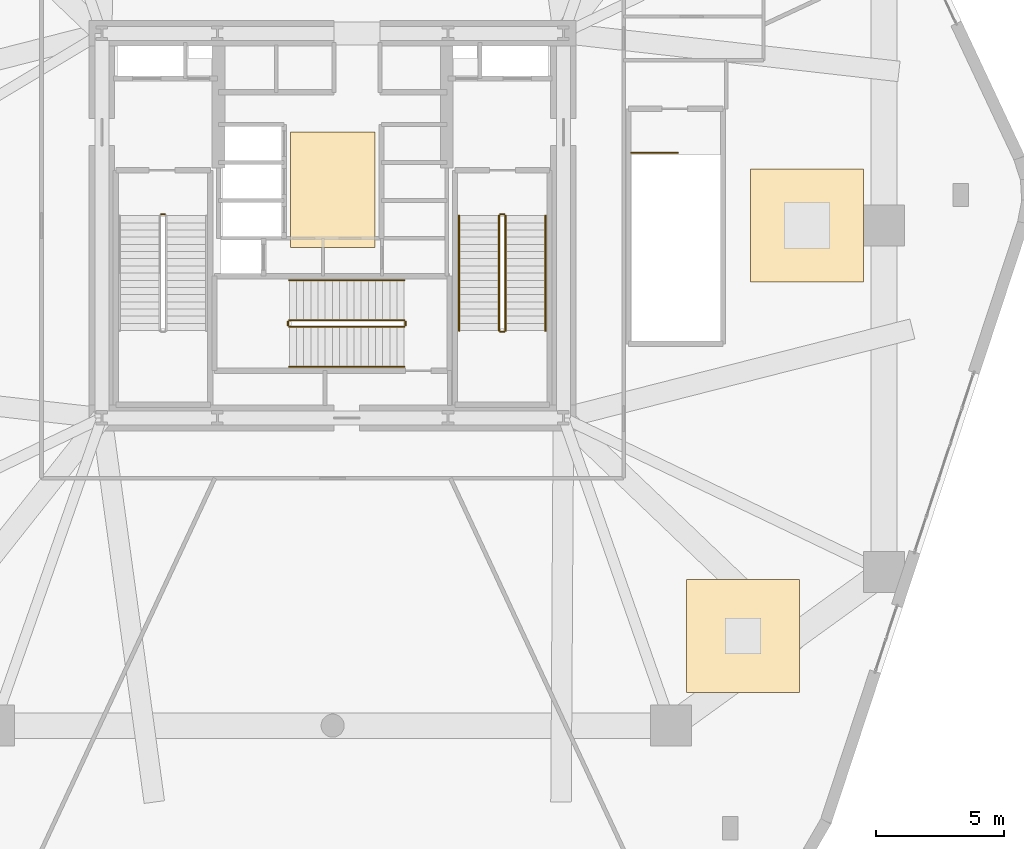
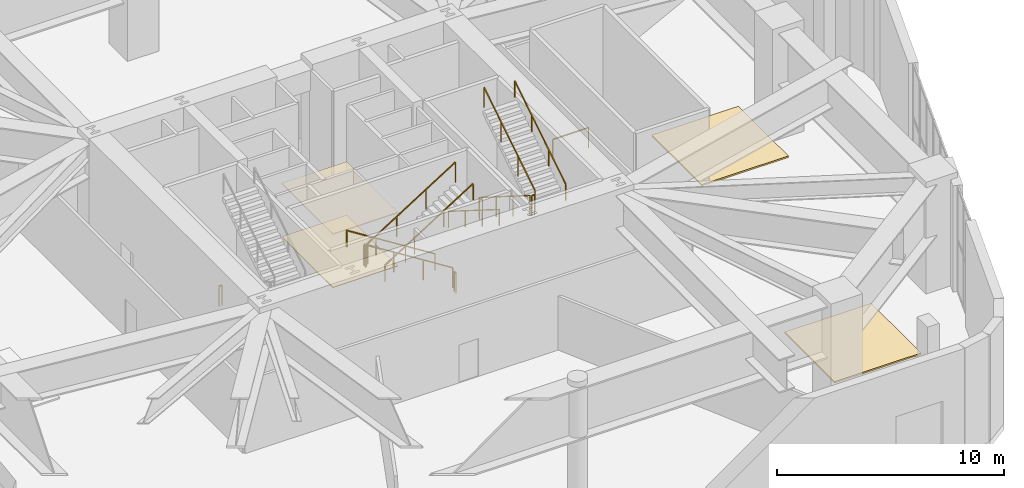
# One storey, part 13 of 14: 14 railings, 4 coverings.
"""IFC4 building model written with IfcOpenShell, lengths in metres."""

from ifc_helpers import new_model, si_unit, direction, frame, origin, origin_2d, place, context, subcontext, project, spatial, polyline, rectangle, outline, extrude, material, layer, layer_set, type_object, element, save


model = new_model("IFC4")

# Units and contexts
model_context = context("Model", 3, precision=1e-05, world=origin(), true_north=direction((0.0, 1.0)))
body_context = subcontext(model_context, "Body", "Model", "MODEL_VIEW")
ifc_project = project(units=[si_unit("LENGTHUNIT", "METRE"), si_unit("AREAUNIT", "SQUARE_METRE"), si_unit("VOLUMEUNIT", "CUBIC_METRE"), si_unit("PLANEANGLEUNIT", "RADIAN"), si_unit("MASSUNIT", "GRAM", prefix="KILO")], contexts=[model_context])

# Site, building, storey
site_placement = place(None, origin())
site = spatial("IfcSite", under=ifc_project, at=site_placement, CompositionType="ELEMENT")
building_placement = place(site_placement, origin())
building = spatial("IfcBuilding", under=site, at=building_placement, Name="Kilnhurst Terrace Hotel", CompositionType="ELEMENT")
storey_placement = place(building_placement, frame((0.0, 0.0, 28.199951171875)))
storey = spatial("IfcBuildingStorey", under=building, at=storey_placement, Name="L05", CompositionType="ELEMENT", Elevation=28.199951171875)

# Coverings
ifc_material_1 = material(Name="Perforated Micro-Acoustic Gypsum and Mineral Wool Ceiling")
ifc_layer_1 = layer(ifc_material_1, 0.050048828125, Name="Perforated Micro-Acoustic Gypsum and Mineral Wool Ceiling")
ifc_layer_set_1 = layer_set([ifc_layer_1], Name="Perforated Micro-Acoustic Gypsum and Mineral Wool Ceiling")
covering_type_1 = type_object("IfcCoveringType", Name="COV-CLG-AC60", PredefinedType="CEILING", material=ifc_layer_set_1)
covering_1_placement = place(storey_placement, frame((0.0, 0.0, 2.85009765625)))
element("IfcCovering", 1, at=covering_1_placement, inside=storey, type_object=covering_type_1, Name="L05 Lift Lobby Suspended Acoustic Ceiling", PredefinedType="CEILING", context=body_context, shape_type="SweptSolid", body=[
    extrude(outline(polyline([(-1.64990234375, -0.85009765625), (1.64990234375, -0.85009765625), (1.64990234375, 3.64990234375), (-1.64990234375, 3.64990234375), (-1.64990234375, -0.85009765625)])), origin(), (0.0, 0.0, 1.0), 0.050048828125),
])
ifc_material_2 = material(Name="Honed Texas Cream Limestone Tile Flooring", Category="masonry")
ifc_layer_2 = layer(ifc_material_2, 0.030029296875, Name="Honed Texas Cream Limestone Tile Flooring")
ifc_layer_set_2 = layer_set([ifc_layer_2], Name="Honed Texas Cream Limestone Tile Flooring")
covering_type_2 = type_object("IfcCoveringType", Name="COV-FLR-STN30", PredefinedType="FLOORING", material=ifc_layer_set_2)
covering_2_placement = place(storey_placement, origin())
element("IfcCovering", 2, at=covering_2_placement, inside=storey, type_object=covering_type_2, Name="L05 Lift Lobby Honed Limestone Flooring", PredefinedType="FLOORING", context=body_context, shape_type="SweptSolid", body=[
    extrude(outline(polyline([(-1.64990234375, -0.85009765625), (1.64990234375, -0.85009765625), (1.64990234375, 3.64990234375), (-1.64990234375, 3.64990234375), (-1.64990234375, -0.85009765625)])), origin(), (0.0, 0.0, 1.0), 0.030029296875),
])
ifc_material_3 = material(Name="TPO Single-Ply Waterproofing Membrane and Rigid Insulation")
ifc_layer_3 = layer(ifc_material_3, 0.080078125, Name="TPO Single-Ply Waterproofing Membrane and Rigid Insulation")
ifc_layer_set_3 = layer_set([ifc_layer_3], Name="TPO Single-Ply Waterproofing Membrane and Rigid Insulation")
covering_type_3 = type_object("IfcCoveringType", Name="COV-ROOF-MEM", PredefinedType="ROOFING", material=ifc_layer_set_3)
covering_3_placement = place(storey_placement, origin())
element("IfcCovering", 3, at=covering_3_placement, inside=storey, type_object=covering_type_3, Name="L05 Podium Waterproofing Pad 2", PredefinedType="ROOFING", context=body_context, shape_type="SweptSolid", body=[
    extrude(outline(polyline([(13.800048828125, -18.199951171875), (18.199951171875, -18.199951171875), (18.199951171875, -13.800048828125), (13.800048828125, -13.800048828125), (13.800048828125, -18.199951171875)])), origin(), (0.0, 0.0, 1.0), 0.080078125),
])
covering_4_placement = place(storey_placement, origin())
element("IfcCovering", 4, at=covering_4_placement, inside=storey, type_object=covering_type_3, Name="L05 Podium Waterproofing Pad 6", PredefinedType="ROOFING", context=body_context, shape_type="SweptSolid", body=[
    extrude(outline(polyline([(16.300048828125, -2.199951171875), (20.699951171875, -2.199951171875), (20.699951171875, 2.199951171875), (16.300048828125, 2.199951171875), (16.300048828125, -2.199951171875)])), origin(), (0.0, 0.0, 1.0), 0.080078125),
])

# Railings
ifc_material_4 = material(Name="Powder-Coated Steel ASTM A500 Grade B", Category="steel")
ifc_layer_4 = layer(ifc_material_4, 0.050048828125, Name="Powder-Coated Steel ASTM A500 Grade B")
ifc_layer_set_4 = layer_set([ifc_layer_4], Name="Powder-Coated Steel ASTM A500 Grade B")
railing_type_1 = type_object("IfcRailingType", Name="RLG-ST-GRD-1100", PredefinedType="GUARDRAIL", material=ifc_layer_set_4)
railing_1_placement = place(storey_placement, frame((-6.68994140625, 0.43994140625, 0.0)))
element("IfcRailing", 5, at=railing_1_placement, inside=storey, type_object=railing_type_1, Name="L05 ST-1 stair guard 4", PredefinedType="GUARDRAIL", context=body_context, shape_type="SweptSolid", body=[
    extrude(rectangle(XDim=0.048095703125, YDim=0.048095703125, at=origin_2d()), frame((0.0, 0.0, 1.076171875), z_axis=(1.0, 0.0, 0.0), x_axis=(0.0, 1.0, 0.0)), (0.0, 0.0, 1.0), 0.14990234375),
    extrude(rectangle(XDim=0.0419921875, YDim=0.0419921875, at=origin_2d()), origin(), (0.0, 0.0, 1.0), 1.052001953125),
    extrude(rectangle(XDim=0.0419921875, YDim=0.0419921875, at=origin_2d()), frame((0.14990234375, 0.0, 0.0)), (0.0, 0.0, 1.0), 1.052001953125),
])
railing_2_placement = place(storey_placement, frame((6.489990234375, 0.389892578125, 0.176513671875)))
element("IfcRailing", 6, at=railing_2_placement, inside=storey, type_object=railing_type_1, Name="L05 ST-2 stair guard 1", PredefinedType="GUARDRAIL", context=body_context, shape_type="SweptSolid", body=[
    extrude(rectangle(XDim=0.048095703125, YDim=0.048095703125, at=origin_2d()), frame((0.0, 0.0, 1.076171875), z_axis=(0.0, -0.845997938375, 0.533186166611), x_axis=(1.0, 0.0, 0.0)), (0.0, 0.0, 1.0), 5.29541015625),
    extrude(rectangle(XDim=0.0419921875, YDim=0.0419921875, at=origin_2d()), origin(), (0.0, 0.0, 1.0), 1.052001953125),
    extrude(rectangle(XDim=0.0419921875, YDim=0.0419921875, at=origin_2d()), frame((0.0, -1.493408203125, 0.941162109375)), (0.0, 0.0, 1.0), 1.052001953125),
    extrude(rectangle(XDim=0.0419921875, YDim=0.0419921875, at=origin_2d()), frame((0.0, -2.986572265625, 1.88232421875)), (0.0, 0.0, 1.0), 1.052001953125),
    extrude(rectangle(XDim=0.0419921875, YDim=0.0419921875, at=origin_2d()), frame((0.0, -4.47998046875, 2.823486328125)), (0.0, 0.0, 1.0), 1.052001953125),
])
railing_3_placement = place(storey_placement, frame((6.5400390625, -4.139892578125, 3.0)))
element("IfcRailing", 7, at=railing_3_placement, inside=storey, type_object=railing_type_1, Name="L05 ST-2 stair guard 2", PredefinedType="GUARDRAIL", context=body_context, shape_type="SweptSolid", body=[
    extrude(rectangle(XDim=0.048095703125, YDim=0.048095703125, at=origin_2d()), frame((0.0, 0.0, 1.076171875), z_axis=(1.0, 0.0, 0.0), x_axis=(0.0, 1.0, 0.0)), (0.0, 0.0, 1.0), 0.14990234375),
    extrude(rectangle(XDim=0.0419921875, YDim=0.0419921875, at=origin_2d()), origin(), (0.0, 0.0, 1.0), 1.052001953125),
    extrude(rectangle(XDim=0.0419921875, YDim=0.0419921875, at=origin_2d()), frame((0.14990234375, 0.0, 0.0)), (0.0, 0.0, 1.0), 1.052001953125),
])
railing_4_placement = place(storey_placement, frame((6.739990234375, -4.090087890625, 3.176513671875)))
element("IfcRailing", 8, at=railing_4_placement, inside=storey, type_object=railing_type_1, Name="L05 ST-2 stair guard 3", PredefinedType="GUARDRAIL", context=body_context, shape_type="SweptSolid", body=[
    extrude(rectangle(XDim=0.048095703125, YDim=0.048095703125, at=origin_2d()), frame((0.0, 0.0, 1.076171875), z_axis=(0.0, 0.845997938375, 0.533186166611), x_axis=(-1.0, 0.0, 0.0)), (0.0, 0.0, 1.0), 5.29541015625),
    extrude(rectangle(XDim=0.0419921875, YDim=0.0419921875, at=origin_2d()), origin(), (0.0, 0.0, 1.0), 1.052001953125),
    extrude(rectangle(XDim=0.0419921875, YDim=0.0419921875, at=origin_2d()), frame((0.0, 1.493408203125, 0.941162109375)), (0.0, 0.0, 1.0), 1.052001953125),
    extrude(rectangle(XDim=0.0419921875, YDim=0.0419921875, at=origin_2d()), frame((0.0, 2.986572265625, 1.88232421875)), (0.0, 0.0, 1.0), 1.052001953125),
    extrude(rectangle(XDim=0.0419921875, YDim=0.0419921875, at=origin_2d()), frame((0.0, 4.47998046875, 2.823486328125)), (0.0, 0.0, 1.0), 1.052001953125),
])
railing_5_placement = place(storey_placement, frame((6.5400390625, 0.43994140625, 0.0)))
element("IfcRailing", 9, at=railing_5_placement, inside=storey, type_object=railing_type_1, Name="L05 ST-2 stair guard 4", PredefinedType="GUARDRAIL", context=body_context, shape_type="SweptSolid", body=[
    extrude(rectangle(XDim=0.048095703125, YDim=0.048095703125, at=origin_2d()), frame((0.0, 0.0, 1.076171875), z_axis=(1.0, 0.0, 0.0), x_axis=(0.0, 1.0, 0.0)), (0.0, 0.0, 1.0), 0.14990234375),
    extrude(rectangle(XDim=0.0419921875, YDim=0.0419921875, at=origin_2d()), origin(), (0.0, 0.0, 1.0), 1.052001953125),
    extrude(rectangle(XDim=0.0419921875, YDim=0.0419921875, at=origin_2d()), frame((0.14990234375, 0.0, 0.0)), (0.0, 0.0, 1.0), 1.052001953125),
])
railing_6_placement = place(storey_placement, frame((2.7900390625, -3.68994140625, 0.176513671875)))
element("IfcRailing", 10, at=railing_6_placement, inside=storey, type_object=railing_type_1, Name="L05 ST-3 stair guard 1", PredefinedType="GUARDRAIL", context=body_context, shape_type="SweptSolid", body=[
    extrude(rectangle(XDim=0.048095703125, YDim=0.048095703125, at=origin_2d()), frame((0.0, 0.0, 1.076171875), z_axis=(-0.845997938375, 0.0, 0.533186166611), x_axis=(0.0, -1.0, 0.0)), (0.0, 0.0, 1.0), 5.29541015625),
    extrude(rectangle(XDim=0.0419921875, YDim=0.0419921875, at=origin_2d()), origin(), (0.0, 0.0, 1.0), 1.052001953125),
    extrude(rectangle(XDim=0.0419921875, YDim=0.0419921875, at=origin_2d()), frame((-1.493408203125, 0.0, 0.941162109375)), (0.0, 0.0, 1.0), 1.052001953125),
    extrude(rectangle(XDim=0.0419921875, YDim=0.0419921875, at=origin_2d()), frame((-2.986572265625, 0.0, 1.88232421875)), (0.0, 0.0, 1.0), 1.052001953125),
    extrude(rectangle(XDim=0.0419921875, YDim=0.0419921875, at=origin_2d()), frame((-4.47998046875, 0.0, 2.823486328125)), (0.0, 0.0, 1.0), 1.052001953125),
])
railing_7_placement = place(storey_placement, frame((-1.739990234375, -3.739990234375, 3.0)))
element("IfcRailing", 11, at=railing_7_placement, inside=storey, type_object=railing_type_1, Name="L05 ST-3 stair guard 2", PredefinedType="GUARDRAIL", context=body_context, shape_type="SweptSolid", body=[
    extrude(rectangle(XDim=0.048095703125, YDim=0.048095703125, at=origin_2d()), frame((0.0, 0.0, 1.076171875), z_axis=(0.0, -1.0, 0.0), x_axis=(1.0, 0.0, 0.0)), (0.0, 0.0, 1.0), 0.14990234375),
    extrude(rectangle(XDim=0.0419921875, YDim=0.0419921875, at=origin_2d()), origin(), (0.0, 0.0, 1.0), 1.052001953125),
    extrude(rectangle(XDim=0.0419921875, YDim=0.0419921875, at=origin_2d()), frame((0.0, -0.14990234375, 0.0)), (0.0, 0.0, 1.0), 1.052001953125),
])
railing_8_placement = place(storey_placement, frame((-1.68994140625, -3.93994140625, 3.176513671875)))
element("IfcRailing", 12, at=railing_8_placement, inside=storey, type_object=railing_type_1, Name="L05 ST-3 stair guard 3", PredefinedType="GUARDRAIL", context=body_context, shape_type="SweptSolid", body=[
    extrude(rectangle(XDim=0.048095703125, YDim=0.048095703125, at=origin_2d()), frame((0.0, 0.0, 1.076171875), z_axis=(0.845997938375, 0.0, 0.533186166611), x_axis=(0.0, 1.0, 0.0)), (0.0, 0.0, 1.0), 5.29541015625),
    extrude(rectangle(XDim=0.0419921875, YDim=0.0419921875, at=origin_2d()), origin(), (0.0, 0.0, 1.0), 1.052001953125),
    extrude(rectangle(XDim=0.0419921875, YDim=0.0419921875, at=origin_2d()), frame((1.493408203125, 0.0, 0.941162109375)), (0.0, 0.0, 1.0), 1.052001953125),
    extrude(rectangle(XDim=0.0419921875, YDim=0.0419921875, at=origin_2d()), frame((2.986572265625, 0.0, 1.88232421875)), (0.0, 0.0, 1.0), 1.052001953125),
    extrude(rectangle(XDim=0.0419921875, YDim=0.0419921875, at=origin_2d()), frame((4.47998046875, 0.0, 2.823486328125)), (0.0, 0.0, 1.0), 1.052001953125),
])
railing_9_placement = place(storey_placement, frame((2.840087890625, -3.739990234375, 0.0)))
element("IfcRailing", 13, at=railing_9_placement, inside=storey, type_object=railing_type_1, Name="L05 ST-3 stair guard 4", PredefinedType="GUARDRAIL", context=body_context, shape_type="SweptSolid", body=[
    extrude(rectangle(XDim=0.048095703125, YDim=0.048095703125, at=origin_2d()), frame((0.0, 0.0, 1.076171875), z_axis=(0.0, -1.0, 0.0), x_axis=(1.0, 0.0, 0.0)), (0.0, 0.0, 1.0), 0.14990234375),
    extrude(rectangle(XDim=0.0419921875, YDim=0.0419921875, at=origin_2d()), origin(), (0.0, 0.0, 1.0), 1.052001953125),
    extrude(rectangle(XDim=0.0419921875, YDim=0.0419921875, at=origin_2d()), frame((0.0, -0.14990234375, 0.0)), (0.0, 0.0, 1.0), 1.052001953125),
])
railing_10_placement = place(storey_placement, frame((11.64990234375, 2.840087890625, 0.0)))
element("IfcRailing", 14, at=railing_10_placement, inside=storey, type_object=railing_type_1, Name="L05 ST-4 top well guard 1", PredefinedType="GUARDRAIL", context=body_context, shape_type="SweptSolid", body=[
    extrude(rectangle(XDim=0.048095703125, YDim=0.048095703125, at=origin_2d()), frame((0.0, 0.0, 1.076171875), z_axis=(1.0, 0.0, 0.0), x_axis=(0.0, 1.0, 0.0)), (0.0, 0.0, 1.0), 1.81005859375),
    extrude(rectangle(XDim=0.0419921875, YDim=0.0419921875, at=origin_2d()), origin(), (0.0, 0.0, 1.0), 1.052001953125),
    extrude(rectangle(XDim=0.0419921875, YDim=0.0419921875, at=origin_2d()), frame((1.81005859375, 0.0, 0.0)), (0.0, 0.0, 1.0), 1.052001953125),
])
ifc_material_5 = material(Name="Brushed Stainless Steel AISI 304", Category="steel")
ifc_layer_5 = layer(ifc_material_5, 0.048095703125, Name="Brushed Stainless Steel AISI 304")
ifc_layer_set_5 = layer_set([ifc_layer_5], Name="Brushed Stainless Steel AISI 304")
railing_type_2 = type_object("IfcRailingType", Name="RLG-ST-HRL-900", PredefinedType="HANDRAIL", material=ifc_layer_set_5)
railing_11_placement = place(storey_placement, frame((4.929931640625, 0.389892578125, 0.176513671875)))
element("IfcRailing", 15, at=railing_11_placement, inside=storey, type_object=railing_type_2, Name="L05 ST-2 stair handrail 1", PredefinedType="HANDRAIL", context=body_context, shape_type="SweptSolid", body=[
    extrude(rectangle(XDim=0.048095703125, YDim=0.048095703125, at=origin_2d()), frame((0.0, 0.0, 0.8759765625), z_axis=(0.0, -0.845997938375, 0.533186166611), x_axis=(1.0, 0.0, 0.0)), (0.0, 0.0, 1.0), 5.29541015625),
    extrude(rectangle(XDim=0.0419921875, YDim=0.0419921875, at=origin_2d()), origin(), (0.0, 0.0, 1.0), 0.851806640625),
    extrude(rectangle(XDim=0.0419921875, YDim=0.0419921875, at=origin_2d()), frame((0.0, -1.493408203125, 0.941162109375)), (0.0, 0.0, 1.0), 0.851806640625),
    extrude(rectangle(XDim=0.0419921875, YDim=0.0419921875, at=origin_2d()), frame((0.0, -2.986572265625, 1.88232421875)), (0.0, 0.0, 1.0), 0.851806640625),
    extrude(rectangle(XDim=0.0419921875, YDim=0.0419921875, at=origin_2d()), frame((0.0, -4.47998046875, 2.823486328125)), (0.0, 0.0, 1.0), 0.851806640625),
])
railing_12_placement = place(storey_placement, frame((8.300048828125, -4.090087890625, 3.176513671875)))
element("IfcRailing", 16, at=railing_12_placement, inside=storey, type_object=railing_type_2, Name="L05 ST-2 stair handrail 2", PredefinedType="HANDRAIL", context=body_context, shape_type="SweptSolid", body=[
    extrude(rectangle(XDim=0.048095703125, YDim=0.048095703125, at=origin_2d()), frame((0.0, 0.0, 0.8759765625), z_axis=(0.0, 0.845997938375, 0.533186166611), x_axis=(-1.0, 0.0, 0.0)), (0.0, 0.0, 1.0), 5.29541015625),
    extrude(rectangle(XDim=0.0419921875, YDim=0.0419921875, at=origin_2d()), origin(), (0.0, 0.0, 1.0), 0.851806640625),
    extrude(rectangle(XDim=0.0419921875, YDim=0.0419921875, at=origin_2d()), frame((0.0, 1.493408203125, 0.941162109375)), (0.0, 0.0, 1.0), 0.851806640625),
    extrude(rectangle(XDim=0.0419921875, YDim=0.0419921875, at=origin_2d()), frame((0.0, 2.986572265625, 1.88232421875)), (0.0, 0.0, 1.0), 0.851806640625),
    extrude(rectangle(XDim=0.0419921875, YDim=0.0419921875, at=origin_2d()), frame((0.0, 4.47998046875, 2.823486328125)), (0.0, 0.0, 1.0), 0.851806640625),
])
railing_13_placement = place(storey_placement, frame((2.7900390625, -2.1298828125, 0.176513671875)))
element("IfcRailing", 17, at=railing_13_placement, inside=storey, type_object=railing_type_2, Name="L05 ST-3 stair handrail 1", PredefinedType="HANDRAIL", context=body_context, shape_type="SweptSolid", body=[
    extrude(rectangle(XDim=0.048095703125, YDim=0.048095703125, at=origin_2d()), frame((0.0, 0.0, 0.8759765625), z_axis=(-0.845997938375, 0.0, 0.533186166611), x_axis=(0.0, -1.0, 0.0)), (0.0, 0.0, 1.0), 5.29541015625),
    extrude(rectangle(XDim=0.0419921875, YDim=0.0419921875, at=origin_2d()), origin(), (0.0, 0.0, 1.0), 0.851806640625),
    extrude(rectangle(XDim=0.0419921875, YDim=0.0419921875, at=origin_2d()), frame((-1.493408203125, 0.0, 0.941162109375)), (0.0, 0.0, 1.0), 0.851806640625),
    extrude(rectangle(XDim=0.0419921875, YDim=0.0419921875, at=origin_2d()), frame((-2.986572265625, 0.0, 1.88232421875)), (0.0, 0.0, 1.0), 0.851806640625),
    extrude(rectangle(XDim=0.0419921875, YDim=0.0419921875, at=origin_2d()), frame((-4.47998046875, 0.0, 2.823486328125)), (0.0, 0.0, 1.0), 0.851806640625),
])
railing_14_placement = place(storey_placement, frame((-1.68994140625, -5.5, 3.176513671875)))
element("IfcRailing", 18, at=railing_14_placement, inside=storey, type_object=railing_type_2, Name="L05 ST-3 stair handrail 2", PredefinedType="HANDRAIL", context=body_context, shape_type="SweptSolid", body=[
    extrude(rectangle(XDim=0.048095703125, YDim=0.048095703125, at=origin_2d()), frame((0.0, 0.0, 0.8759765625), z_axis=(0.845997938375, 0.0, 0.533186166611), x_axis=(0.0, 1.0, 0.0)), (0.0, 0.0, 1.0), 5.29541015625),
    extrude(rectangle(XDim=0.0419921875, YDim=0.0419921875, at=origin_2d()), origin(), (0.0, 0.0, 1.0), 0.851806640625),
    extrude(rectangle(XDim=0.0419921875, YDim=0.0419921875, at=origin_2d()), frame((1.493408203125, 0.0, 0.941162109375)), (0.0, 0.0, 1.0), 0.851806640625),
    extrude(rectangle(XDim=0.0419921875, YDim=0.0419921875, at=origin_2d()), frame((2.986572265625, 0.0, 1.88232421875)), (0.0, 0.0, 1.0), 0.851806640625),
    extrude(rectangle(XDim=0.0419921875, YDim=0.0419921875, at=origin_2d()), frame((4.47998046875, 0.0, 2.823486328125)), (0.0, 0.0, 1.0), 0.851806640625),
])

save(model, "model.ifc")
